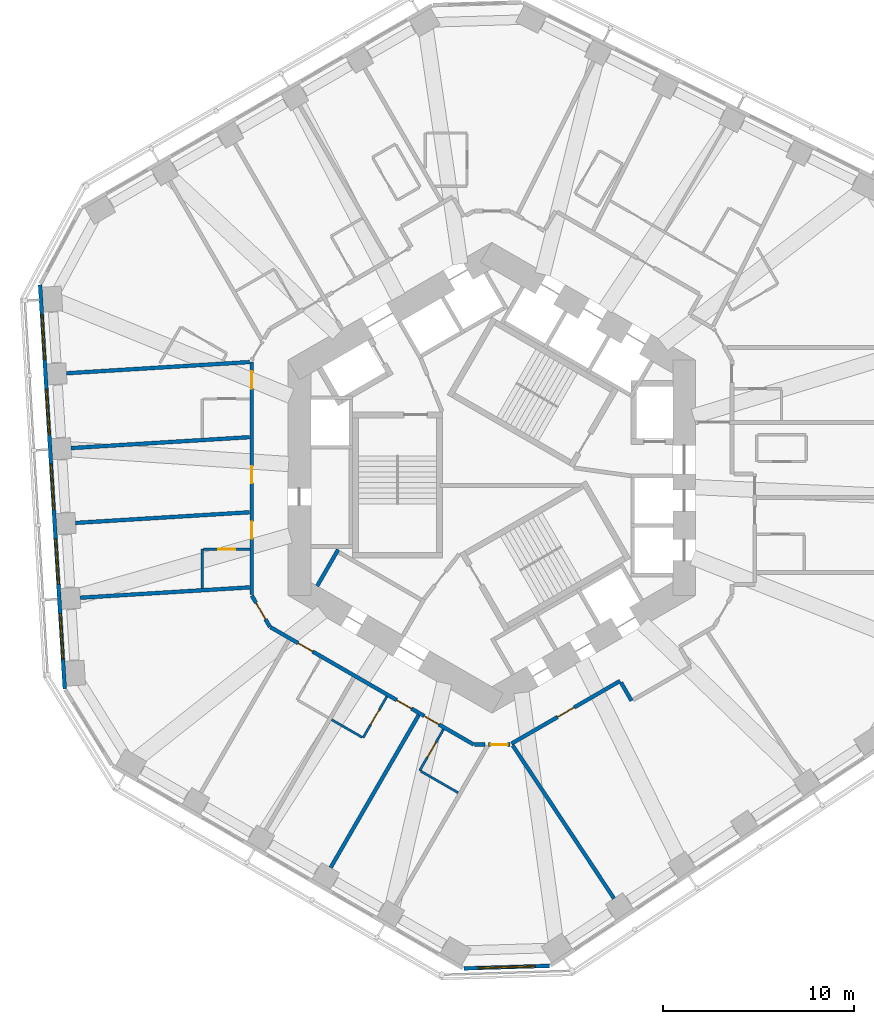
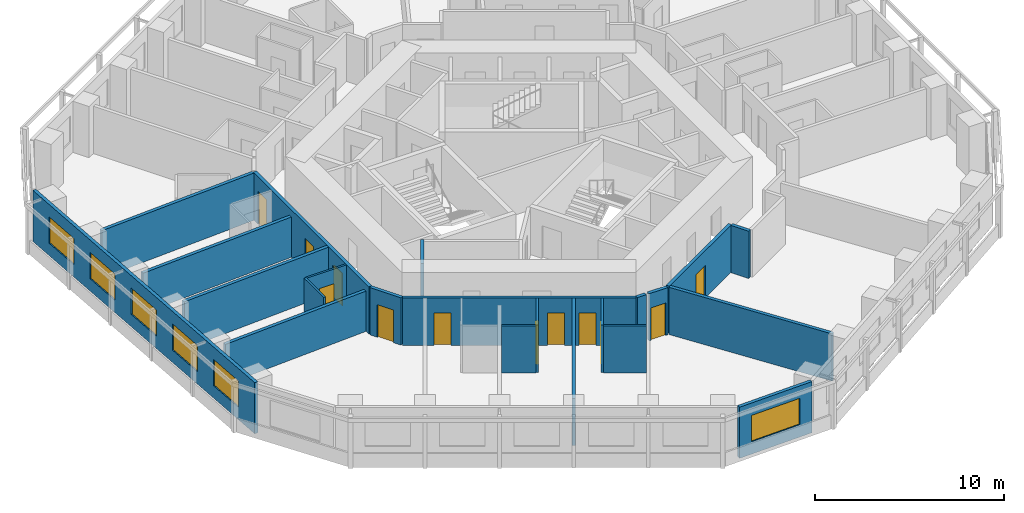
# One storey, part 4 of 12: 22 walls, 12 doors, 6 windows, 18 openings.
"""IFC4 building model written with IfcOpenShell, lengths in metres."""

from ifc_helpers import new_model, si_unit, direction, frame, frame_2d, origin, place, context, subcontext, project, spatial, rectangle, extrude, material, layer, layer_set, type_object, element, fill, save


model = new_model("IFC4")

# Units and contexts
model_context = context("Model", 3, precision=1e-05, world=origin(), true_north=direction((0.0, 1.0)))
body_context = subcontext(model_context, "Body", "Model", "MODEL_VIEW")
ifc_project = project(units=[si_unit("LENGTHUNIT", "METRE"), si_unit("AREAUNIT", "SQUARE_METRE"), si_unit("VOLUMEUNIT", "CUBIC_METRE"), si_unit("PLANEANGLEUNIT", "RADIAN"), si_unit("MASSUNIT", "GRAM", prefix="KILO")], contexts=[model_context])

# Site, building, storey
site_placement = place(None, origin())
site = spatial("IfcSite", under=ifc_project, at=site_placement, CompositionType="ELEMENT")
building_placement = place(site_placement, origin())
building = spatial("IfcBuilding", under=site, at=building_placement, Name="Vanh Sen Convention Tower", CompositionType="ELEMENT")
storey_placement = place(building_placement, frame((0.0, 0.0, 93.5)))
storey = spatial("IfcBuildingStorey", under=building, at=storey_placement, Name="L21", CompositionType="ELEMENT", Elevation=93.5)

# Wall
ifc_material_1 = material(Name="Moisture-resistant gypsum board on steel studs", Category="steel")
ifc_layer_1 = layer(ifc_material_1, 0.1201171875)
ifc_layer_set_1 = layer_set([ifc_layer_1], Name="Moisture-resistant gypsum board on steel studs")
wall_type_1 = type_object("IfcWallType", Name="Bathroom partition 120", PredefinedType="PARTITIONING", material=ifc_layer_set_1)
wall_1_placement = place(storey_placement, frame((-15.199951171875, -5.8037109375, 0.0), z_axis=(0.0, 0.0, 1.0), x_axis=(0.0, 1.0, 0.0)))
element("IfcWall", 1, at=wall_1_placement, inside=storey, type_object=wall_type_1, Name="Bathroom partition 120", PredefinedType="PARTITIONING", context=body_context, shape_type="SweptSolid", body=[
    extrude(rectangle(XDim=2.059326171875, YDim=0.1201171875, at=frame_2d((1.02978515625, 0.0))), origin(), (0.0, 0.0, 1.0), 3.050048828125),
])

# Wall, opening, door
wall_2_placement = place(storey_placement, frame((-15.139892578125, -3.744384765625, 0.0), z_axis=(0.0, 0.0, 1.0), x_axis=(1.0, 0.0, 0.0)))
wall_2 = element("IfcWall", 2, at=wall_2_placement, inside=storey, type_object=wall_type_1, Name="Bathroom partition 120", PredefinedType="PARTITIONING", context=body_context, shape_type="SweptSolid", body=[
    extrude(rectangle(XDim=2.43994140625, YDim=0.1201171875, at=frame_2d((1.219970703125, 0.0))), origin(), (0.0, 0.0, 1.0), 3.050048828125),
])
opening_1_placement = place(wall_2_placement, frame((0.77001953125, 0.0, 0.0)))
opening_1 = element("IfcOpeningElement", 3, at=opening_1_placement, cuts=wall_2, Name="Opening D19129", PredefinedType="OPENING", context=body_context, shape_type="SweptSolid", body=[
    extrude(rectangle(XDim=0.89990234375, YDim=2.10009765625, at=frame_2d((0.449951171875, 1.050048828125))), frame((0.0, 0.070068359375, 0.0), z_axis=(0.0, -1.0, 0.0), x_axis=(1.0, 0.0, 0.0)), (0.0, 0.0, 1.0), 0.14013671875),
])
ifc_material_2 = material(Name="Laminate door in steel frame", Category="steel")
door_type_1 = type_object("IfcDoorType", Name="En-suite door 900", OperationType="SINGLE_SWING_LEFT", PredefinedType="DOOR", material=ifc_material_2)
door_1_placement = place(opening_1_placement, origin())
door_1 = element("IfcDoor", 4, at=door_1_placement, inside=storey, type_object=door_type_1, Name="En-suite door D19129", OperationType="SINGLE_SWING_LEFT", OverallHeight=2.10009765625, OverallWidth=0.89990234375, PredefinedType="DOOR", context=body_context, shape_type="SweptSolid", body=[
    extrude(rectangle(XDim=0.89990234375, YDim=2.10009765625, at=frame_2d((0.449951171875, 1.050048828125))), frame((0.0, 0.02490234375, 0.0), z_axis=(0.0, -1.0, 0.0), x_axis=(1.0, 0.0, 0.0)), (0.0, 0.0, 1.0), 0.050048828125),
])
fill(opening_1, door_1)

# Wall
wall_3_placement = place(storey_placement, frame((-6.81201171875, -13.618408203125, 0.0), z_axis=(0.0, 0.0, 1.0), x_axis=(-0.866046386007, 0.499963655964, 0.0)))
element("IfcWall", 5, at=wall_3_placement, inside=storey, type_object=wall_type_1, Name="Bathroom partition 120", PredefinedType="PARTITIONING", context=body_context, shape_type="SweptSolid", body=[
    extrude(rectangle(XDim=1.840087890625, YDim=0.1201171875, at=frame_2d((0.919921875, 0.0))), origin(), (0.0, 0.0, 1.0), 3.050048828125),
])

# Wall, opening, door
wall_4_placement = place(storey_placement, frame((-5.510009765625, -11.4833984375, 0.0), z_axis=(0.0, 0.0, 1.0), x_axis=(-0.500004234368, -0.866022959057, 0.0)))
wall_4 = element("IfcWall", 6, at=wall_4_placement, inside=storey, type_object=wall_type_1, Name="Bathroom partition 120", PredefinedType="PARTITIONING", context=body_context, shape_type="SweptSolid", body=[
    extrude(rectangle(XDim=2.5, YDim=0.1201171875, at=frame_2d((1.25, 0.0))), origin(), (0.0, 0.0, 1.0), 3.050048828125),
])
opening_2_placement = place(wall_4_placement, frame((0.800048828125, 0.0, 0.0)))
opening_2 = element("IfcOpeningElement", 7, at=opening_2_placement, cuts=wall_4, Name="Opening D19134", PredefinedType="OPENING", context=body_context, shape_type="SweptSolid", body=[
    extrude(rectangle(XDim=0.89990234375, YDim=2.10009765625, at=frame_2d((0.449951171875, 1.050048828125))), frame((0.0, 0.070068359375, 0.0), z_axis=(0.0, -1.0, 0.0), x_axis=(1.0, 0.0, 0.0)), (0.0, 0.0, 1.0), 0.14013671875),
])
door_2_placement = place(opening_2_placement, origin())
door_2 = element("IfcDoor", 8, at=door_2_placement, inside=storey, type_object=door_type_1, Name="En-suite door D19134", OperationType="SINGLE_SWING_LEFT", OverallHeight=2.10009765625, OverallWidth=0.89990234375, PredefinedType="DOOR", context=body_context, shape_type="SweptSolid", body=[
    extrude(rectangle(XDim=0.89990234375, YDim=2.10009765625, at=frame_2d((0.449951171875, 1.050048828125))), frame((0.0, 0.02490234375, 0.0), z_axis=(0.0, -1.0, 0.0), x_axis=(1.0, 0.0, 0.0)), (0.0, 0.0, 1.0), 0.050048828125),
])
fill(opening_2, door_2)

wall_5_placement = place(storey_placement, frame((-3.78564453125, -15.36572265625, 0.0), z_axis=(0.0, 0.0, 1.0), x_axis=(0.500004234368, 0.866022959057, 0.0)))
wall_5 = element("IfcWall", 9, at=wall_5_placement, inside=storey, type_object=wall_type_1, Name="Bathroom partition 120", PredefinedType="PARTITIONING", context=body_context, shape_type="SweptSolid", body=[
    extrude(rectangle(XDim=2.5, YDim=0.1201171875, at=frame_2d((1.25, 0.0))), origin(), (0.0, 0.0, 1.0), 3.050048828125),
])
opening_3_placement = place(wall_5_placement, frame((0.800048828125, 0.0, 0.0)))
opening_3 = element("IfcOpeningElement", 10, at=opening_3_placement, cuts=wall_5, Name="Opening D19136", PredefinedType="OPENING", context=body_context, shape_type="SweptSolid", body=[
    extrude(rectangle(XDim=0.89990234375, YDim=2.10009765625, at=frame_2d((0.449951171875, 1.050048828125))), frame((0.0, 0.070068359375, 0.0), z_axis=(0.0, -1.0, 0.0), x_axis=(1.0, 0.0, 0.0)), (0.0, 0.0, 1.0), 0.14013671875),
])
door_3_placement = place(opening_3_placement, origin())
door_3 = element("IfcDoor", 11, at=door_3_placement, inside=storey, type_object=door_type_1, Name="En-suite door D19136", OperationType="SINGLE_SWING_LEFT", OverallHeight=2.10009765625, OverallWidth=0.89990234375, PredefinedType="DOOR", context=body_context, shape_type="SweptSolid", body=[
    extrude(rectangle(XDim=0.89990234375, YDim=2.10009765625, at=frame_2d((0.449951171875, 1.050048828125))), frame((0.0, 0.02490234375, 0.0), z_axis=(0.0, -1.0, 0.0), x_axis=(1.0, 0.0, 0.0)), (0.0, 0.0, 1.0), 0.050048828125),
])
fill(opening_3, door_3)

# Wall
wall_6_placement = place(storey_placement, frame((-1.763671875, -16.533203125, 0.0), z_axis=(0.0, 0.0, 1.0), x_axis=(-0.866008641419, 0.500029032144, 0.0)))
element("IfcWall", 12, at=wall_6_placement, inside=storey, type_object=wall_type_1, Name="Bathroom partition 120", PredefinedType="PARTITIONING", context=body_context, shape_type="SweptSolid", body=[
    extrude(rectangle(XDim=2.274658203125, YDim=0.1201171875, at=frame_2d((1.13720703125, 0.0))), origin(), (0.0, 0.0, 1.0), 3.050048828125),
])

# Wall, opening, door
ifc_material_3 = material(Name="Gypsum board on steel studs with mineral wool", Category="steel")
ifc_layer_2 = layer(ifc_material_3, 0.199951171875)
ifc_layer_set_2 = layer_set([ifc_layer_2], Name="Gypsum board on steel studs with mineral wool")
wall_type_2 = type_object("IfcWallType", Name="Corridor partition wall 200", PredefinedType="PARTITIONING", material=ifc_layer_set_2)
wall_7_placement = place(storey_placement, frame((-12.60009765625, -6.177490234375, 0.0), z_axis=(0.0, 0.0, 1.0), x_axis=(0.500063520245, -0.865988727248, 0.0)))
wall_7 = element("IfcWall", 13, at=wall_7_placement, inside=storey, type_object=wall_type_2, Name="Corridor partition wall 200", PredefinedType="PARTITIONING", context=body_context, shape_type="SweptSolid", body=[
    extrude(rectangle(XDim=1.900146484375, YDim=0.199951171875, at=frame_2d((0.9501953125, 0.0))), origin(), (0.0, 0.0, 1.0), 3.050048828125),
])
opening_4_placement = place(wall_7_placement, frame((0.449951171875, 0.0, 0.0)))
opening_4 = element("IfcOpeningElement", 14, at=opening_4_placement, cuts=wall_7, Name="Opening D19130", PredefinedType="OPENING", context=body_context, shape_type="SweptSolid", body=[
    extrude(rectangle(XDim=1.0, YDim=2.10009765625, at=frame_2d((0.5, 1.050048828125))), frame((0.0, 0.10986328125, 0.0), z_axis=(0.0, -1.0, 0.0), x_axis=(1.0, 0.0, 0.0)), (0.0, 0.0, 1.0), 0.219970703125),
])
ifc_material_4 = material(Name="Timber fire door in steel frame", Category="steel")
door_type_2 = type_object("IfcDoorType", Name="Floor room door 1000", OperationType="SINGLE_SWING_LEFT", PredefinedType="DOOR", material=ifc_material_4)
door_4_placement = place(opening_4_placement, origin())
door_4 = element("IfcDoor", 15, at=door_4_placement, inside=storey, type_object=door_type_2, Name="Meeting and amenity room door D19130", OperationType="SINGLE_SWING_LEFT", OverallHeight=2.10009765625, OverallWidth=1.0, PredefinedType="DOOR", context=body_context, shape_type="SweptSolid", body=[
    extrude(rectangle(XDim=1.0, YDim=2.10009765625, at=frame_2d((0.5, 1.050048828125))), frame((0.0, 0.02490234375, 0.0), z_axis=(0.0, -1.0, 0.0), x_axis=(1.0, 0.0, 0.0)), (0.0, 0.0, 1.0), 0.050048828125),
])
fill(opening_4, door_4)

# Wall, openings, doors
wall_8_placement = place(storey_placement, frame((-12.60009765625, 6.081298828125, 0.0), z_axis=(0.0, 0.0, 1.0), x_axis=(0.0, -1.0, 0.0)))
wall_8 = element("IfcWall", 16, at=wall_8_placement, inside=storey, type_object=wall_type_2, Name="Corridor partition wall 200", PredefinedType="PARTITIONING", context=body_context, shape_type="SweptSolid", body=[
    extrude(rectangle(XDim=12.218994140625, YDim=0.199951171875, at=frame_2d((6.109375, 0.0))), origin(), (0.0, 0.0, 1.0), 3.050048828125),
])
opening_5_placement = place(wall_8_placement, frame((0.495849609375, 0.0, 0.0)))
opening_5 = element("IfcOpeningElement", 17, at=opening_5_placement, cuts=wall_8, Name="Opening D19125", PredefinedType="OPENING", context=body_context, shape_type="SweptSolid", body=[
    extrude(rectangle(XDim=0.89990234375, YDim=2.10009765625, at=frame_2d((0.449951171875, 1.050048828125))), frame((0.0, 0.10986328125, 0.0), z_axis=(0.0, -1.0, 0.0), x_axis=(1.0, 0.0, 0.0)), (0.0, 0.0, 1.0), 0.219970703125),
])
opening_6_placement = place(wall_8_placement, frame((5.462890625, 0.0, 0.0)))
opening_6 = element("IfcOpeningElement", 18, at=opening_6_placement, cuts=wall_8, Name="Opening D19127", PredefinedType="OPENING", context=body_context, shape_type="SweptSolid", body=[
    extrude(rectangle(XDim=0.89990234375, YDim=2.10009765625, at=frame_2d((0.449951171875, 1.050048828125))), frame((0.0, 0.10986328125, 0.0), z_axis=(0.0, -1.0, 0.0), x_axis=(1.0, 0.0, 0.0)), (0.0, 0.0, 1.0), 0.219970703125),
])
opening_7_placement = place(wall_8_placement, frame((8.3798828125, 0.0, 0.0)))
opening_7 = element("IfcOpeningElement", 19, at=opening_7_placement, cuts=wall_8, Name="Opening D19128", PredefinedType="OPENING", context=body_context, shape_type="SweptSolid", body=[
    extrude(rectangle(XDim=0.89990234375, YDim=2.10009765625, at=frame_2d((0.449951171875, 1.050048828125))), frame((0.0, 0.10986328125, 0.0), z_axis=(0.0, -1.0, 0.0), x_axis=(1.0, 0.0, 0.0)), (0.0, 0.0, 1.0), 0.219970703125),
])
door_type_3 = type_object("IfcDoorType", Name="Floor service door 900", OperationType="SINGLE_SWING_LEFT", PredefinedType="DOOR", material=ifc_material_4)
door_5_placement = place(opening_6_placement, origin())
door_5 = element("IfcDoor", 20, at=door_5_placement, inside=storey, type_object=door_type_3, Name="Service room door D19127", OperationType="SINGLE_SWING_LEFT", OverallHeight=2.10009765625, OverallWidth=0.89990234375, PredefinedType="DOOR", context=body_context, shape_type="SweptSolid", body=[
    extrude(rectangle(XDim=0.89990234375, YDim=2.10009765625, at=frame_2d((0.449951171875, 1.050048828125))), frame((0.0, 0.02490234375, 0.0), z_axis=(0.0, -1.0, 0.0), x_axis=(1.0, 0.0, 0.0)), (0.0, 0.0, 1.0), 0.050048828125),
])
fill(opening_6, door_5)
door_type_4 = type_object("IfcDoorType", Name="Guest room door 900", OperationType="SINGLE_SWING_LEFT", PredefinedType="DOOR", material=ifc_material_4)
door_6_placement = place(opening_5_placement, origin())
door_6 = element("IfcDoor", 21, at=door_6_placement, inside=storey, type_object=door_type_4, Name="Hotel guest room door D19125", OperationType="SINGLE_SWING_LEFT", OverallHeight=2.10009765625, OverallWidth=0.89990234375, PredefinedType="DOOR", context=body_context, shape_type="SweptSolid", body=[
    extrude(rectangle(XDim=0.89990234375, YDim=2.10009765625, at=frame_2d((0.449951171875, 1.050048828125))), frame((0.0, 0.02490234375, 0.0), z_axis=(0.0, -1.0, 0.0), x_axis=(1.0, 0.0, 0.0)), (0.0, 0.0, 1.0), 0.050048828125),
])
fill(opening_5, door_6)
door_7_placement = place(opening_7_placement, origin())
door_7 = element("IfcDoor", 22, at=door_7_placement, inside=storey, type_object=door_type_4, Name="Hotel guest room door D19128", OperationType="SINGLE_SWING_LEFT", OverallHeight=2.10009765625, OverallWidth=0.89990234375, PredefinedType="DOOR", context=body_context, shape_type="SweptSolid", body=[
    extrude(rectangle(XDim=0.89990234375, YDim=2.10009765625, at=frame_2d((0.449951171875, 1.050048828125))), frame((0.0, 0.02490234375, 0.0), z_axis=(0.0, -1.0, 0.0), x_axis=(1.0, 0.0, 0.0)), (0.0, 0.0, 1.0), 0.050048828125),
])
fill(opening_7, door_7)

wall_9_placement = place(storey_placement, frame((-11.615478515625, -7.843017578125, 0.0), z_axis=(0.0, 0.0, 1.0), x_axis=(0.866026466995, -0.499998158461, 0.0)))
wall_9 = element("IfcWall", 23, at=wall_9_placement, inside=storey, type_object=wall_type_2, Name="Corridor partition wall 200", PredefinedType="PARTITIONING", context=body_context, shape_type="SweptSolid", body=[
    extrude(rectangle(XDim=12.3154296875, YDim=0.199951171875, at=frame_2d((6.15771484375, 0.0))), origin(), (0.0, 0.0, 1.0), 3.050048828125),
])
opening_8_placement = place(wall_9_placement, frame((1.665283203125, 0.0, 0.0)))
opening_8 = element("IfcOpeningElement", 24, at=opening_8_placement, cuts=wall_9, Name="Opening D19131", PredefinedType="OPENING", context=body_context, shape_type="SweptSolid", body=[
    extrude(rectangle(XDim=0.89990234375, YDim=2.10009765625, at=frame_2d((0.449951171875, 1.050048828125))), frame((0.0, 0.10986328125, 0.0), z_axis=(0.0, -1.0, 0.0), x_axis=(1.0, 0.0, 0.0)), (0.0, 0.0, 1.0), 0.219970703125),
])
opening_9_placement = place(wall_9_placement, frame((7.64990234375, 0.0, 0.0)))
opening_9 = element("IfcOpeningElement", 25, at=opening_9_placement, cuts=wall_9, Name="Opening D19133", PredefinedType="OPENING", context=body_context, shape_type="SweptSolid", body=[
    extrude(rectangle(XDim=0.89990234375, YDim=2.10009765625, at=frame_2d((0.449951171875, 1.050048828125))), frame((0.0, 0.10986328125, 0.0), z_axis=(0.0, -1.0, 0.0), x_axis=(1.0, 0.0, 0.0)), (0.0, 0.0, 1.0), 0.219970703125),
])
opening_10_placement = place(wall_9_placement, frame((9.317138671875, 0.0, 0.0)))
opening_10 = element("IfcOpeningElement", 26, at=opening_10_placement, cuts=wall_9, Name="Opening D19135", PredefinedType="OPENING", context=body_context, shape_type="SweptSolid", body=[
    extrude(rectangle(XDim=0.89990234375, YDim=2.10009765625, at=frame_2d((0.449951171875, 1.050048828125))), frame((0.0, 0.10986328125, 0.0), z_axis=(0.0, -1.0, 0.0), x_axis=(1.0, 0.0, 0.0)), (0.0, 0.0, 1.0), 0.219970703125),
])
door_8_placement = place(opening_8_placement, origin())
door_8 = element("IfcDoor", 27, at=door_8_placement, inside=storey, type_object=door_type_4, Name="Hotel guest room door D19131", OperationType="SINGLE_SWING_LEFT", OverallHeight=2.10009765625, OverallWidth=0.89990234375, PredefinedType="DOOR", context=body_context, shape_type="SweptSolid", body=[
    extrude(rectangle(XDim=0.89990234375, YDim=2.10009765625, at=frame_2d((0.449951171875, 1.050048828125))), frame((0.0, 0.02490234375, 0.0), z_axis=(0.0, -1.0, 0.0), x_axis=(1.0, 0.0, 0.0)), (0.0, 0.0, 1.0), 0.050048828125),
])
fill(opening_8, door_8)
door_9_placement = place(opening_9_placement, origin())
door_9 = element("IfcDoor", 28, at=door_9_placement, inside=storey, type_object=door_type_4, Name="Hotel guest room door D19133", OperationType="SINGLE_SWING_LEFT", OverallHeight=2.10009765625, OverallWidth=0.89990234375, PredefinedType="DOOR", context=body_context, shape_type="SweptSolid", body=[
    extrude(rectangle(XDim=0.89990234375, YDim=2.10009765625, at=frame_2d((0.449951171875, 1.050048828125))), frame((0.0, 0.02490234375, 0.0), z_axis=(0.0, -1.0, 0.0), x_axis=(1.0, 0.0, 0.0)), (0.0, 0.0, 1.0), 0.050048828125),
])
fill(opening_9, door_9)
door_10_placement = place(opening_10_placement, origin())
door_10 = element("IfcDoor", 29, at=door_10_placement, inside=storey, type_object=door_type_4, Name="Hotel guest room door D19135", OperationType="SINGLE_SWING_LEFT", OverallHeight=2.10009765625, OverallWidth=0.89990234375, PredefinedType="DOOR", context=body_context, shape_type="SweptSolid", body=[
    extrude(rectangle(XDim=0.89990234375, YDim=2.10009765625, at=frame_2d((0.449951171875, 1.050048828125))), frame((0.0, 0.02490234375, 0.0), z_axis=(0.0, -1.0, 0.0), x_axis=(1.0, 0.0, 0.0)), (0.0, 0.0, 1.0), 0.050048828125),
])
fill(opening_10, door_10)

# Wall
wall_10_placement = place(storey_placement, frame((-0.909912109375, -14.000732421875, 0.0), z_axis=(0.0, 0.0, 1.0), x_axis=(1.0, 0.0, 0.0)))
element("IfcWall", 30, at=wall_10_placement, inside=storey, type_object=wall_type_2, Name="Corridor partition wall 200", PredefinedType="PARTITIONING", context=body_context, shape_type="SweptSolid", body=[
    extrude(rectangle(XDim=0.559814453125, YDim=0.199951171875, at=frame_2d((0.27978515625, 0.0))), origin(), (0.0, 0.0, 1.0), 3.050048828125),
])

# Wall, opening, door
wall_11_placement = place(storey_placement, frame((-0.186279296875, -14.000732421875, 0.0), z_axis=(0.0, 0.0, 1.0), x_axis=(1.0, 0.0, 0.0)))
wall_11 = element("IfcWall", 31, at=wall_11_placement, inside=storey, type_object=wall_type_2, Name="Corridor partition wall 200", PredefinedType="PARTITIONING", context=body_context, shape_type="SweptSolid", body=[
    extrude(rectangle(XDim=1.13623046875, YDim=0.199951171875, at=frame_2d((0.568115234375, 0.0))), origin(), (0.0, 0.0, 1.0), 3.050048828125),
])
opening_11_placement = place(wall_11_placement, frame((0.1181640625, 0.0, 0.0)))
opening_11 = element("IfcOpeningElement", 32, at=opening_11_placement, cuts=wall_11, Name="Opening D19137", PredefinedType="OPENING", context=body_context, shape_type="SweptSolid", body=[
    extrude(rectangle(XDim=0.89990234375, YDim=2.10009765625, at=frame_2d((0.449951171875, 1.050048828125))), frame((0.0, 0.10986328125, 0.0), z_axis=(0.0, -1.0, 0.0), x_axis=(1.0, 0.0, 0.0)), (0.0, 0.0, 1.0), 0.219970703125),
])
door_type_5 = type_object("IfcDoorType", Name="Floor room door 900", OperationType="SINGLE_SWING_LEFT", PredefinedType="DOOR", material=ifc_material_4)
door_11_placement = place(opening_11_placement, origin())
door_11 = element("IfcDoor", 33, at=door_11_placement, inside=storey, type_object=door_type_5, Name="Meeting and amenity room door D19137", OperationType="SINGLE_SWING_LEFT", OverallHeight=2.10009765625, OverallWidth=0.89990234375, PredefinedType="DOOR", context=body_context, shape_type="SweptSolid", body=[
    extrude(rectangle(XDim=0.89990234375, YDim=2.10009765625, at=frame_2d((0.449951171875, 1.050048828125))), frame((0.0, 0.02490234375, 0.0), z_axis=(0.0, -1.0, 0.0), x_axis=(1.0, 0.0, 0.0)), (0.0, 0.0, 1.0), 0.050048828125),
])
fill(opening_11, door_11)

wall_12_placement = place(storey_placement, frame((1.033447265625, -13.95263671875, 0.0), z_axis=(0.0, 0.0, 1.0), x_axis=(0.866017531406, 0.500013635111, 0.0)))
wall_12 = element("IfcWall", 34, at=wall_12_placement, inside=storey, type_object=wall_type_2, Name="Corridor partition wall 200", PredefinedType="PARTITIONING", context=body_context, shape_type="SweptSolid", body=[
    extrude(rectangle(XDim=6.580322265625, YDim=0.199951171875, at=frame_2d((3.2900390625, 0.0))), origin(), (0.0, 0.0, 1.0), 3.050048828125),
])
opening_12_placement = place(wall_12_placement, frame((2.7900390625, 0.0, 0.0)))
opening_12 = element("IfcOpeningElement", 35, at=opening_12_placement, cuts=wall_12, Name="Opening D19138", PredefinedType="OPENING", context=body_context, shape_type="SweptSolid", body=[
    extrude(rectangle(XDim=1.0, YDim=2.10009765625, at=frame_2d((0.5, 1.050048828125))), frame((0.0, 0.10986328125, 0.0), z_axis=(0.0, -1.0, 0.0), x_axis=(1.0, 0.0, 0.0)), (0.0, 0.0, 1.0), 0.219970703125),
])
door_12_placement = place(opening_12_placement, origin())
door_12 = element("IfcDoor", 36, at=door_12_placement, inside=storey, type_object=door_type_2, Name="Meeting and amenity room door D19138", OperationType="SINGLE_SWING_LEFT", OverallHeight=2.10009765625, OverallWidth=1.0, PredefinedType="DOOR", context=body_context, shape_type="SweptSolid", body=[
    extrude(rectangle(XDim=1.0, YDim=2.10009765625, at=frame_2d((0.5, 1.050048828125))), frame((0.0, 0.02490234375, 0.0), z_axis=(0.0, -1.0, 0.0), x_axis=(1.0, 0.0, 0.0)), (0.0, 0.0, 1.0), 0.050048828125),
])
fill(opening_12, door_12)

# Wall
wall_13_placement = place(storey_placement, frame((6.781982421875, -10.7490234375, 0.0), z_axis=(0.0, 0.0, 1.0), x_axis=(0.500074377092, -0.865982457891, 0.0)))
element("IfcWall", 37, at=wall_13_placement, inside=storey, type_object=wall_type_2, Name="Corridor partition wall 200", PredefinedType="PARTITIONING", context=body_context, shape_type="SweptSolid", body=[
    extrude(rectangle(XDim=1.100830078125, YDim=0.199951171875, at=frame_2d((0.55029296875, 0.0))), origin(), (0.0, 0.0, 1.0), 3.050048828125),
])

# Wall, openings, windows
ifc_material_5 = material(Name="Insulated lightweight infill wall")
ifc_layer_3 = layer(ifc_material_5, 0.199951171875)
ifc_layer_set_3 = layer_set([ifc_layer_3], Name="Insulated lightweight infill wall")
wall_type_3 = type_object("IfcWallType", Name="External wall 200", PredefinedType="STANDARD", material=ifc_layer_set_3)
wall_14_placement = place(storey_placement, frame((-23.712646484375, 10.130859375, 0.0), z_axis=(0.0, 0.0, 1.0), x_axis=(0.061040439785, -0.998135293791, 0.0)))
wall_14 = element("IfcWall", 38, at=wall_14_placement, inside=storey, type_object=wall_type_3, Name="External wall W L21", PredefinedType="STANDARD", context=body_context, shape_type="SweptSolid", body=[
    extrude(rectangle(XDim=21.24609375, YDim=0.199951171875, at=frame_2d((10.623046875, 0.0))), origin(), (0.0, 0.0, 1.0), 3.300048828125),
])
opening_13_placement = place(wall_14_placement, frame((1.552978515625, 0.0, 0.800048828125)))
opening_13 = element("IfcOpeningElement", 39, at=opening_13_placement, cuts=wall_14, Name="Opening WH1-W1", PredefinedType="OPENING", context=body_context, shape_type="SweptSolid", body=[
    extrude(rectangle(XDim=2.39990234375, YDim=1.699951171875, at=frame_2d((1.199951171875, 0.85009765625))), frame((0.0, 0.10986328125, 0.0), z_axis=(0.0, -1.0, 0.0), x_axis=(1.0, 0.0, 0.0)), (0.0, 0.0, 1.0), 0.219970703125),
])
opening_14_placement = place(wall_14_placement, frame((5.48779296875, 0.0, 0.800048828125)))
opening_14 = element("IfcOpeningElement", 40, at=opening_14_placement, cuts=wall_14, Name="Opening WH1-W2", PredefinedType="OPENING", context=body_context, shape_type="SweptSolid", body=[
    extrude(rectangle(XDim=2.39990234375, YDim=1.699951171875, at=frame_2d((1.199951171875, 0.85009765625))), frame((0.0, 0.10986328125, 0.0), z_axis=(0.0, -1.0, 0.0), x_axis=(1.0, 0.0, 0.0)), (0.0, 0.0, 1.0), 0.219970703125),
])
opening_15_placement = place(wall_14_placement, frame((9.42236328125, 0.0, 0.800048828125)))
opening_15 = element("IfcOpeningElement", 41, at=opening_15_placement, cuts=wall_14, Name="Opening WH1-W3", PredefinedType="OPENING", context=body_context, shape_type="SweptSolid", body=[
    extrude(rectangle(XDim=2.39990234375, YDim=1.699951171875, at=frame_2d((1.199951171875, 0.85009765625))), frame((0.0, 0.10986328125, 0.0), z_axis=(0.0, -1.0, 0.0), x_axis=(1.0, 0.0, 0.0)), (0.0, 0.0, 1.0), 0.219970703125),
])
opening_16_placement = place(wall_14_placement, frame((13.35693359375, 0.0, 0.800048828125)))
opening_16 = element("IfcOpeningElement", 42, at=opening_16_placement, cuts=wall_14, Name="Opening WH1-W4", PredefinedType="OPENING", context=body_context, shape_type="SweptSolid", body=[
    extrude(rectangle(XDim=2.39990234375, YDim=1.699951171875, at=frame_2d((1.199951171875, 0.85009765625))), frame((0.0, 0.10986328125, 0.0), z_axis=(0.0, -1.0, 0.0), x_axis=(1.0, 0.0, 0.0)), (0.0, 0.0, 1.0), 0.219970703125),
])
opening_17_placement = place(wall_14_placement, frame((17.29150390625, 0.0, 0.800048828125)))
opening_17 = element("IfcOpeningElement", 43, at=opening_17_placement, cuts=wall_14, Name="Opening WH1-W5", PredefinedType="OPENING", context=body_context, shape_type="SweptSolid", body=[
    extrude(rectangle(XDim=2.39990234375, YDim=1.699951171875, at=frame_2d((1.199951171875, 0.85009765625))), frame((0.0, 0.10986328125, 0.0), z_axis=(0.0, -1.0, 0.0), x_axis=(1.0, 0.0, 0.0)), (0.0, 0.0, 1.0), 0.219970703125),
])
ifc_material_6 = material(Name="Aluminium frame with clear low-emissivity glass", Category="aluminium")
window_type_1 = type_object("IfcWindowType", Name="Hotel window 2400 x 1700", PartitioningType="SINGLE_PANEL", PredefinedType="WINDOW", material=ifc_material_6)
window_1_placement = place(opening_13_placement, origin())
window_1 = element("IfcWindow", 44, at=window_1_placement, inside=storey, type_object=window_type_1, Name="Window WH1-W1", OverallHeight=1.699951171875, OverallWidth=2.39990234375, PartitioningType="SINGLE_PANEL", PredefinedType="WINDOW", context=body_context, shape_type="SweptSolid", body=[
    extrude(rectangle(XDim=2.39990234375, YDim=1.699951171875, at=frame_2d((1.199951171875, 0.85009765625))), frame((0.0, 0.030029296875, 0.0), z_axis=(0.0, -1.0, 0.0), x_axis=(1.0, 0.0, 0.0)), (0.0, 0.0, 1.0), 0.06005859375),
])
fill(opening_13, window_1)
window_2_placement = place(opening_14_placement, origin())
window_2 = element("IfcWindow", 45, at=window_2_placement, inside=storey, type_object=window_type_1, Name="Window WH1-W2", OverallHeight=1.699951171875, OverallWidth=2.39990234375, PartitioningType="SINGLE_PANEL", PredefinedType="WINDOW", context=body_context, shape_type="SweptSolid", body=[
    extrude(rectangle(XDim=2.39990234375, YDim=1.699951171875, at=frame_2d((1.199951171875, 0.85009765625))), frame((0.0, 0.030029296875, 0.0), z_axis=(0.0, -1.0, 0.0), x_axis=(1.0, 0.0, 0.0)), (0.0, 0.0, 1.0), 0.06005859375),
])
fill(opening_14, window_2)
window_3_placement = place(opening_15_placement, origin())
window_3 = element("IfcWindow", 46, at=window_3_placement, inside=storey, type_object=window_type_1, Name="Window WH1-W3", OverallHeight=1.699951171875, OverallWidth=2.39990234375, PartitioningType="SINGLE_PANEL", PredefinedType="WINDOW", context=body_context, shape_type="SweptSolid", body=[
    extrude(rectangle(XDim=2.39990234375, YDim=1.699951171875, at=frame_2d((1.199951171875, 0.85009765625))), frame((0.0, 0.030029296875, 0.0), z_axis=(0.0, -1.0, 0.0), x_axis=(1.0, 0.0, 0.0)), (0.0, 0.0, 1.0), 0.06005859375),
])
fill(opening_15, window_3)
window_4_placement = place(opening_16_placement, origin())
window_4 = element("IfcWindow", 47, at=window_4_placement, inside=storey, type_object=window_type_1, Name="Window WH1-W4", OverallHeight=1.699951171875, OverallWidth=2.39990234375, PartitioningType="SINGLE_PANEL", PredefinedType="WINDOW", context=body_context, shape_type="SweptSolid", body=[
    extrude(rectangle(XDim=2.39990234375, YDim=1.699951171875, at=frame_2d((1.199951171875, 0.85009765625))), frame((0.0, 0.030029296875, 0.0), z_axis=(0.0, -1.0, 0.0), x_axis=(1.0, 0.0, 0.0)), (0.0, 0.0, 1.0), 0.06005859375),
])
fill(opening_16, window_4)
window_5_placement = place(opening_17_placement, origin())
window_5 = element("IfcWindow", 48, at=window_5_placement, inside=storey, type_object=window_type_1, Name="Window WH1-W5", OverallHeight=1.699951171875, OverallWidth=2.39990234375, PartitioningType="SINGLE_PANEL", PredefinedType="WINDOW", context=body_context, shape_type="SweptSolid", body=[
    extrude(rectangle(XDim=2.39990234375, YDim=1.699951171875, at=frame_2d((1.199951171875, 0.85009765625))), frame((0.0, 0.030029296875, 0.0), z_axis=(0.0, -1.0, 0.0), x_axis=(1.0, 0.0, 0.0)), (0.0, 0.0, 1.0), 0.06005859375),
])
fill(opening_17, window_5)

# Wall, opening, window
wall_15_placement = place(storey_placement, frame((-1.461181640625, -25.7548828125, 0.0), z_axis=(0.0, 0.0, 1.0), x_axis=(0.999533823446, 0.030530898895, 0.0)))
wall_15 = element("IfcWall", 49, at=wall_15_placement, inside=storey, type_object=wall_type_3, Name="External wall CH5 L21", PredefinedType="STANDARD", context=body_context, shape_type="SweptSolid", body=[
    extrude(rectangle(XDim=4.494140625, YDim=0.199951171875, at=frame_2d((2.2470703125, 0.0))), origin(), (0.0, 0.0, 1.0), 3.300048828125),
])
opening_18_placement = place(wall_15_placement, frame((0.7470703125, 0.0, 0.800048828125)))
opening_18 = element("IfcOpeningElement", 50, at=opening_18_placement, cuts=wall_15, Name="Opening WH2-CH51", PredefinedType="OPENING", context=body_context, shape_type="SweptSolid", body=[
    extrude(rectangle(XDim=3.0, YDim=1.699951171875, at=frame_2d((1.5, 0.85009765625))), frame((0.0, 0.10986328125, 0.0), z_axis=(0.0, -1.0, 0.0), x_axis=(1.0, 0.0, 0.0)), (0.0, 0.0, 1.0), 0.219970703125),
])
window_type_2 = type_object("IfcWindowType", Name="Hotel window 3000 x 1700", PartitioningType="SINGLE_PANEL", PredefinedType="WINDOW", material=ifc_material_6)
window_6_placement = place(opening_18_placement, origin())
window_6 = element("IfcWindow", 51, at=window_6_placement, inside=storey, type_object=window_type_2, Name="Window WH2-CH51", OverallHeight=1.699951171875, OverallWidth=3.0, PartitioningType="SINGLE_PANEL", PredefinedType="WINDOW", context=body_context, shape_type="SweptSolid", body=[
    extrude(rectangle(XDim=3.0, YDim=1.699951171875, at=frame_2d((1.5, 0.85009765625))), frame((0.0, 0.030029296875, 0.0), z_axis=(0.0, -1.0, 0.0), x_axis=(1.0, 0.0, 0.0)), (0.0, 0.0, 1.0), 0.06005859375),
])
fill(opening_18, window_6)

# Walls
ifc_layer_4 = layer(ifc_material_3, 0.199951171875)
ifc_layer_set_4 = layer_set([ifc_layer_4], Name="Gypsum board on steel studs with mineral wool")
wall_type_4 = type_object("IfcWallType", Name="Hotel party wall 200", PredefinedType="PARTITIONING", material=ifc_layer_set_4)
wall_16_placement = place(storey_placement, frame((-22.32666015625, 5.486328125, 0.0), z_axis=(0.0, 0.0, 1.0), x_axis=(0.998135194863, 0.061042057435, 0.0)))
element("IfcWall", 52, at=wall_16_placement, inside=storey, type_object=wall_type_4, Name="Hotel party wall 200", PredefinedType="PARTITIONING", context=body_context, shape_type="SweptSolid", body=[
    extrude(rectangle(XDim=9.635009765625, YDim=0.199951171875, at=frame_2d((4.8173828125, 0.0))), origin(), (0.0, 0.0, 1.0), 3.050048828125),
])
wall_17_placement = place(storey_placement, frame((-22.08642578125, 1.55908203125, 0.0), z_axis=(0.0, 0.0, 1.0), x_axis=(0.99813491363, 0.061046655873, 0.0)))
element("IfcWall", 53, at=wall_17_placement, inside=storey, type_object=wall_type_4, Name="Hotel party wall 200", PredefinedType="PARTITIONING", context=body_context, shape_type="SweptSolid", body=[
    extrude(rectangle(XDim=9.394287109375, YDim=0.199951171875, at=frame_2d((4.697265625, 0.0))), origin(), (0.0, 0.0, 1.0), 2.60009765625),
])
wall_18_placement = place(storey_placement, frame((-21.84619140625, -2.3681640625, 0.0), z_axis=(0.0, 0.0, 1.0), x_axis=(0.998134617584, 0.061051496129, 0.0)))
element("IfcWall", 54, at=wall_18_placement, inside=storey, type_object=wall_type_4, Name="Hotel party wall 200", PredefinedType="PARTITIONING", context=body_context, shape_type="SweptSolid", body=[
    extrude(rectangle(XDim=9.153564453125, YDim=0.199951171875, at=frame_2d((4.57666015625, 0.0))), origin(), (0.0, 0.0, 1.0), 3.050048828125),
])
wall_19_placement = place(storey_placement, frame((-21.60595703125, -6.29541015625, 0.0), z_axis=(0.0, 0.0, 1.0), x_axis=(0.998134305525, 0.061056597794, 0.0)))
element("IfcWall", 55, at=wall_19_placement, inside=storey, type_object=wall_type_4, Name="Hotel party wall 200", PredefinedType="PARTITIONING", context=body_context, shape_type="SweptSolid", body=[
    extrude(rectangle(XDim=8.912841796875, YDim=0.199951171875, at=frame_2d((4.45654296875, 0.0))), origin(), (0.0, 0.0, 1.0), 2.60009765625),
])
wall_20_placement = place(storey_placement, frame((-8.459716796875, -20.46142578125, 0.0), z_axis=(0.0, 0.0, 1.0), x_axis=(0.499999662836, 0.866025598446, 0.0)))
element("IfcWall", 56, at=wall_20_placement, inside=storey, type_object=wall_type_4, Name="Hotel party wall 200", PredefinedType="PARTITIONING", context=body_context, shape_type="SweptSolid", body=[
    extrude(rectangle(XDim=9.25, YDim=0.199951171875, at=frame_2d((4.625, 0.0))), origin(), (0.0, 0.0, 1.0), 3.050048828125),
])
wall_21_placement = place(storey_placement, frame((6.411865234375, -22.07861328125, 0.0), z_axis=(0.0, 0.0, 1.0), x_axis=(-0.551919507115, 0.83389739037, 0.0)))
element("IfcWall", 57, at=wall_21_placement, inside=storey, type_object=wall_type_4, Name="Hotel party wall 200", PredefinedType="PARTITIONING", context=body_context, shape_type="SweptSolid", body=[
    extrude(rectangle(XDim=9.634765625, YDim=0.199951171875, at=frame_2d((4.8173828125, 0.0))), origin(), (0.0, 0.0, 1.0), 3.050048828125),
])
ifc_material_7 = material(Name="Concrete C40/50", Category="concrete")
ifc_layer_5 = layer(ifc_material_7, 0.199951171875)
ifc_layer_set_5 = layer_set([ifc_layer_5], Name="Concrete C40/50")
wall_type_5 = type_object("IfcWallType", Name="Lift shaft wall 200", PredefinedType="PARTITIONING", material=ifc_layer_set_5)
wall_22_placement = place(storey_placement, frame((-8.066650390625, -3.77197265625, 0.0), z_axis=(0.0, 0.0, 1.0), x_axis=(-0.50002983664, -0.866008176907, 0.0)))
element("IfcWall", 58, at=wall_22_placement, inside=storey, type_object=wall_type_5, Name="Lift shaft wall L21", PredefinedType="PARTITIONING", context=body_context, shape_type="SweptSolid", body=[
    extrude(rectangle(XDim=2.199951171875, YDim=0.199951171875, at=frame_2d((1.10009765625, 0.0))), origin(), (0.0, 0.0, 1.0), 3.050048828125),
])

save(model, "model.ifc")
